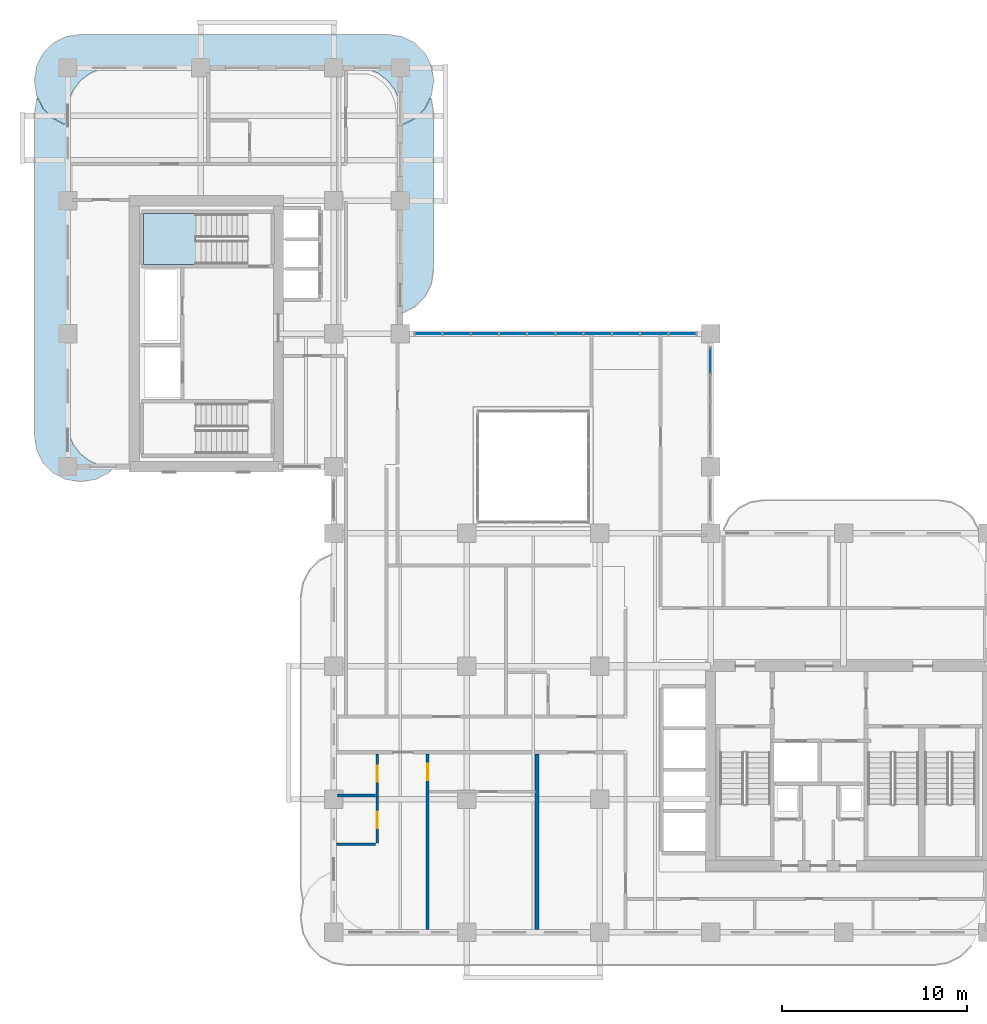
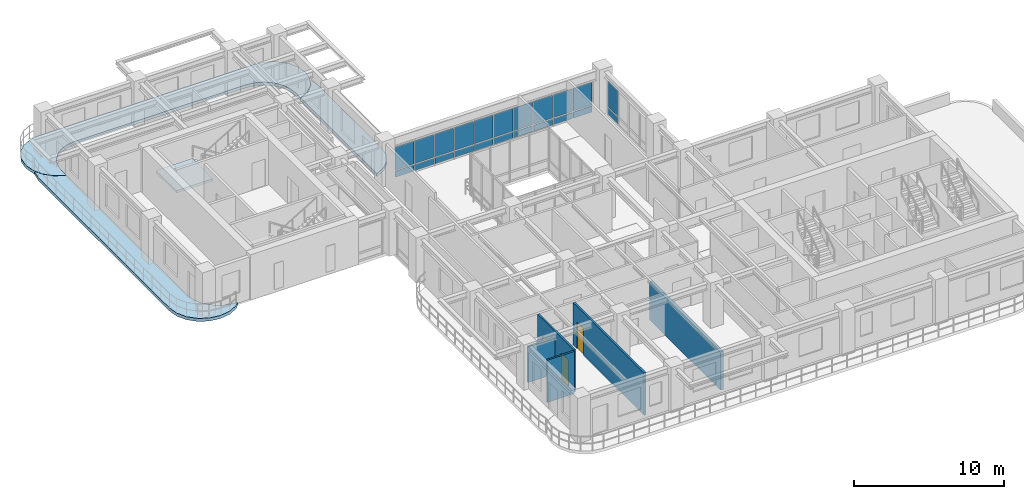
# One storey, part 10 of 20: 22 plates, 5 walls, 4 slabs, 3 doors, 3 openings, 3 elements without a shape of their own.
"""IFC4 building model written with IfcOpenShell, lengths in metres."""

from ifc_helpers import new_model, si_unit, derived_unit, direction, frame, frame_2d, origin, origin_2d, place, context, subcontext, project, spatial, polyline, rectangle, outline, extrude, source, transform, mapped, material, layer, layer_set, type_object, type_shapes, element, fill, aggregate, save


model = new_model("IFC4")

# Units and contexts
model_context = context("Model", 3, precision=1e-05, world=origin(), true_north=direction((0.0, 1.0)))
body_context = subcontext(model_context, "Body", "Model", "MODEL_VIEW")
ifc_project = project(units=[si_unit("LENGTHUNIT", "METRE"), si_unit("AREAUNIT", "SQUARE_METRE"), si_unit("VOLUMEUNIT", "CUBIC_METRE"), si_unit("PLANEANGLEUNIT", "RADIAN"), si_unit("MASSUNIT", "GRAM", prefix="KILO"), si_unit("THERMODYNAMICTEMPERATUREUNIT", "KELVIN"), si_unit("POWERUNIT", "WATT"), derived_unit("THERMALTRANSMITTANCEUNIT", [(si_unit("POWERUNIT", "WATT"), 1), (si_unit("AREAUNIT", "SQUARE_METRE"), -1), (si_unit("THERMODYNAMICTEMPERATUREUNIT", "KELVIN"), -1)])], contexts=[model_context])

# Site, building, storey
site_placement = place(None, origin())
site = spatial("IfcSite", under=ifc_project, at=site_placement, CompositionType="ELEMENT")
building_placement = place(site_placement, origin())
building = spatial("IfcBuilding", under=site, at=building_placement, Name="Zahravan Archway Hotel and Residences", CompositionType="ELEMENT")
storey_placement = place(building_placement, frame((0.0, 0.0, 111.800048828125)))
storey = spatial("IfcBuildingStorey", under=building, at=storey_placement, Name="L27", CompositionType="ELEMENT", Elevation=111.800048828125)

# Slabs
ifc_material_1 = material(Name="Concrete C45/55", Category="concrete")
ifc_layer_1 = layer(ifc_material_1, 0.25, Name="Concrete C45/55", Category="concrete")
ifc_layer_set_1 = layer_set([ifc_layer_1], Name="Concrete C45/55")
slab_type_1 = type_object("IfcSlabType", Name="SLB-BALC-250", PredefinedType="FLOOR", material=ifc_layer_set_1)
slab_1_placement = place(storey_placement, frame((0.0, 0.0, -0.25)))
element("IfcSlab", 1, at=slab_1_placement, inside=storey, type_object=slab_type_1, Name="L27 Wing B North Rounded Balcony Band", PredefinedType="FLOOR", context=body_context, shape_type="SweptSolid", body=[
    extrude(outline(polyline([(-0.107177734375, 43.719970703125), (-0.7900390625, 44.06787109375), (-1.33203125, 44.60986328125), (-1.68017578125, 45.29296875), (-1.800048828125, 46.050048828125), (-1.800048828125, 46.14990234375), (-1.68017578125, 46.906982421875), (-1.33203125, 47.590087890625), (-0.7900390625, 48.132080078125), (-0.107177734375, 48.47998046875), (0.64990234375, 48.60009765625), (17.35009765625, 48.60009765625), (18.107177734375, 48.47998046875), (18.7900390625, 48.132080078125), (19.33203125, 47.590087890625), (19.68017578125, 46.906982421875), (19.800048828125, 46.14990234375), (19.800048828125, 46.050048828125), (19.68017578125, 45.29296875), (19.33203125, 44.60986328125), (18.7900390625, 44.06787109375), (18.107177734375, 43.719970703125), (18.02001953125, 43.7060546875), (18.02001953125, 44.39990234375), (18.019775390625, 44.402587890625), (17.93798828125, 45.023681640625), (17.937744140625, 45.025390625), (17.937255859375, 45.027099609375), (17.936767578125, 45.02880859375), (17.697021484375, 45.607666015625), (17.6962890625, 45.609130859375), (17.6953125, 45.610595703125), (17.6943359375, 45.6123046875), (17.31298828125, 46.109375), (17.311767578125, 46.110595703125), (17.310546875, 46.11181640625), (17.309326171875, 46.113037109375), (16.812255859375, 46.494384765625), (16.810791015625, 46.495361328125), (16.80908203125, 46.49609375), (16.8076171875, 46.4970703125), (16.22900390625, 46.73681640625), (16.227294921875, 46.7373046875), (16.2255859375, 46.73779296875), (16.223876953125, 46.738037109375), (15.6025390625, 46.81982421875), (15.60009765625, 46.820068359375), (2.39990234375, 46.820068359375), (2.3974609375, 46.81982421875), (1.776123046875, 46.738037109375), (1.7744140625, 46.73779296875), (1.772705078125, 46.7373046875), (1.77099609375, 46.73681640625), (1.1923828125, 46.4970703125), (1.19091796875, 46.49609375), (1.189208984375, 46.495361328125), (1.187744140625, 46.494384765625), (0.690673828125, 46.113037109375), (0.689453125, 46.11181640625), (0.688232421875, 46.110595703125), (0.68701171875, 46.109375), (0.3056640625, 45.6123046875), (0.3046875, 45.610595703125), (0.3037109375, 45.609130859375), (0.302978515625, 45.607666015625), (0.063232421875, 45.02880859375), (0.062744140625, 45.027099609375), (0.062255859375, 45.025390625), (0.06201171875, 45.023681640625), (-0.019775390625, 44.402587890625), (-0.02001953125, 44.39990234375), (-0.02001953125, 43.7060546875), (-0.107177734375, 43.719970703125)])), origin(), (0.0, 0.0, 1.0), 0.25),
])
slab_2_placement = place(storey_placement, frame((0.0, 0.0, -0.25)))
element("IfcSlab", 2, at=slab_2_placement, inside=storey, type_object=slab_type_1, Name="L27 Wing B West Rounded Balcony Band", PredefinedType="FLOOR", context=body_context, shape_type="SweptSolid", body=[
    extrude(outline(polyline([(2.190185546875, 24.867919921875), (1.507080078125, 24.52001953125), (0.75, 24.39990234375), (0.64990234375, 24.39990234375), (-0.107177734375, 24.52001953125), (-0.7900390625, 24.867919921875), (-1.33203125, 25.409912109375), (-1.68017578125, 26.093017578125), (-1.800048828125, 26.85009765625), (-1.800048828125, 44.35009765625), (-1.68017578125, 45.107177734375), (-1.64404296875, 45.177978515625), (-1.349853515625, 44.600830078125), (-1.348876953125, 44.59912109375), (-1.34765625, 44.597412109375), (-1.34619140625, 44.595703125), (-0.80419921875, 44.0537109375), (-0.802734375, 44.052490234375), (-0.801025390625, 44.051025390625), (-0.79931640625, 44.050048828125), (-0.1162109375, 43.7021484375), (-0.1142578125, 43.701171875), (-0.1123046875, 43.70068359375), (-0.110107421875, 43.7001953125), (-0.023193359375, 43.686279296875), (-0.021240234375, 43.68603515625), (-0.02001953125, 43.68603515625), (-0.02001953125, 27.60009765625), (-0.019775390625, 27.597412109375), (0.06201171875, 26.976318359375), (0.062255859375, 26.974609375), (0.062744140625, 26.972900390625), (0.063232421875, 26.97119140625), (0.302978515625, 26.392333984375), (0.3037109375, 26.390869140625), (0.3046875, 26.389404296875), (0.3056640625, 26.3876953125), (0.68701171875, 25.890625), (0.688232421875, 25.889404296875), (0.689453125, 25.88818359375), (0.690673828125, 25.886962890625), (1.187744140625, 25.505615234375), (1.189208984375, 25.504638671875), (1.19091796875, 25.50390625), (1.1923828125, 25.5029296875), (1.77099609375, 25.26318359375), (1.772705078125, 25.2626953125), (1.7744140625, 25.26220703125), (1.776123046875, 25.261962890625), (2.3974609375, 25.18017578125), (2.39990234375, 25.179931640625), (2.502197265625, 25.179931640625), (2.190185546875, 24.867919921875)])), origin(), (0.0, 0.0, 1.0), 0.25),
])
slab_3_placement = place(storey_placement, frame((0.0, 0.0, -0.25)))
element("IfcSlab", 3, at=slab_3_placement, inside=storey, type_object=slab_type_1, Name="L27 Wing B East Rounded Balcony Band", PredefinedType="FLOOR", context=body_context, shape_type="SweptSolid", body=[
    extrude(outline(polyline([(19.68017578125, 45.107177734375), (19.800048828125, 44.35009765625), (19.800048828125, 35.85009765625), (19.68017578125, 35.093017578125), (19.33203125, 34.409912109375), (18.7900390625, 33.867919921875), (18.107177734375, 33.52001953125), (18.02001953125, 33.506103515625), (18.02001953125, 43.68603515625), (18.021240234375, 43.68603515625), (18.023193359375, 43.686279296875), (18.110107421875, 43.7001953125), (18.1123046875, 43.70068359375), (18.1142578125, 43.701171875), (18.1162109375, 43.7021484375), (18.79931640625, 44.050048828125), (18.801025390625, 44.051025390625), (18.802734375, 44.052490234375), (18.80419921875, 44.0537109375), (19.34619140625, 44.595703125), (19.34765625, 44.597412109375), (19.348876953125, 44.59912109375), (19.349853515625, 44.600830078125), (19.64404296875, 45.177978515625), (19.68017578125, 45.107177734375)])), origin(), (0.0, 0.0, 1.0), 0.25),
])

# Stair, slab
ifc_material_2 = material(Name="Concrete C50/60", Category="concrete")
stair_type = type_object("IfcStairType", Name="STR-CORE-1300", PredefinedType="HALF_TURN_STAIR", material=ifc_material_2)
stair_placement = place(storey_placement, origin())
stair = element("IfcStair", 4, at=stair_placement, inside=storey, type_object=stair_type, Name="L27 Core B Exit Stair 2", PredefinedType="HALF_TURN_STAIR")
ifc_layer_2 = layer(ifc_material_2, 0.199951171875, Name="Concrete C50/60", Category="concrete")
ifc_layer_set_2 = layer_set([ifc_layer_2], Name="Concrete C50/60")
slab_type_2 = type_object("IfcSlabType", Name="SLB-LND-200", PredefinedType="LANDING", material=ifc_layer_set_2)
slab_4_placement = place(storey_placement, frame((0.0, 0.0, 1.64990234375)))
slab_4 = element("IfcSlab", 5, at=slab_4_placement, type_object=slab_type_2, Name="ST-B2 landing 1", PredefinedType="LANDING", context=body_context, shape_type="SweptSolid", body=[
    extrude(outline(polyline([(6.929931640625, 38.89990234375), (4.10009765625, 38.89990234375), (4.10009765625, 36.159912109375), (6.929931640625, 36.159912109375), (6.929931640625, 38.89990234375)])), origin(), (0.0, 0.0, 1.0), 0.199951171875),
])
aggregate(stair, [slab_4])

# Curtain wall, plates
ifc_material_3 = material(Name="Bronze-Anodized Unitised Aluminium & Low-E Glass", Category="aluminium")
ifc_layer_3 = layer(ifc_material_3, 0.179931640625, Name="Bronze-Anodized Unitised Aluminium & Low-E Glass", Category="aluminium")
ifc_layer_set_3 = layer_set([ifc_layer_3], Name="Bronze-Anodized Unitised Aluminium & Low-E Glass")
curtain_wall_type = type_object("IfcCurtainWallType", Name="CW-ATR-GLAZ", PredefinedType="NOTDEFINED", material=ifc_layer_set_3)
curtain_wall_1_placement = place(storey_placement, origin())
curtain_wall_1 = element("IfcCurtainWall", 6, at=curtain_wall_1_placement, inside=storey, type_object=curtain_wall_type, Name="L27 Curtain Wall CW-L27-HNG-N-1", PredefinedType="NOTDEFINED")
ifc_material_4 = material(Name="Insulated Terracotta Spandrel Panel", Category="masonry")
ifc_layer_4 = layer(ifc_material_4, 0.0400390625, Name="Insulated Terracotta Spandrel Panel", Category="masonry")
ifc_layer_set_4 = layer_set([ifc_layer_4], Name="Insulated Terracotta Spandrel Panel")
plate_type_1 = type_object("IfcPlateType", Name="CWP-SPN-40", PredefinedType="SHEET", material=ifc_layer_set_4)
shared_shape_1 = source(origin(), body_context, "Body", "SweptSolid", [
    extrude(rectangle(XDim=1.447998046875, YDim=0.0400390625, at=origin_2d()), origin(), (0.0, 0.0, 1.0), 0.492431640625),
])
plate_1_placement = place(storey_placement, frame((19.52392578125, 32.39990234375, 0.10009765625), z_axis=(0.0, 0.0, 1.0), x_axis=(1.0, 0.0, 0.0)))
plate_1 = element("IfcPlate", 7, at=plate_1_placement, type_object=plate_type_1, Name="CW-L27-HNG-N-1 Spandrel Panel 0", PredefinedType="SHEET", context=body_context, shape_type="MappedRepresentation", body=[
    mapped(shared_shape_1, transform((0.0, 0.0, 0.0), scale=1.0)),
])
plate_2_placement = place(storey_placement, frame((21.052001953125, 32.39990234375, 0.10009765625), z_axis=(0.0, 0.0, 1.0), x_axis=(1.0, 0.0, 0.0)))
plate_2 = element("IfcPlate", 8, at=plate_2_placement, type_object=plate_type_1, Name="CW-L27-HNG-N-1 Spandrel Panel 1", PredefinedType="SHEET", context=body_context, shape_type="MappedRepresentation", body=[
    mapped(shared_shape_1, transform((0.0, 0.0, 0.0), scale=1.0)),
])
plate_3_placement = place(storey_placement, frame((22.580078125, 32.39990234375, 0.10009765625), z_axis=(0.0, 0.0, 1.0), x_axis=(1.0, 0.0, 0.0)))
plate_3 = element("IfcPlate", 9, at=plate_3_placement, type_object=plate_type_1, Name="CW-L27-HNG-N-1 Spandrel Panel 2", PredefinedType="SHEET", context=body_context, shape_type="MappedRepresentation", body=[
    mapped(shared_shape_1, transform((0.0, 0.0, 0.0), scale=1.0)),
])
plate_4_placement = place(storey_placement, frame((24.10791015625, 32.39990234375, 0.10009765625), z_axis=(0.0, 0.0, 1.0), x_axis=(1.0, 0.0, 0.0)))
plate_4 = element("IfcPlate", 10, at=plate_4_placement, type_object=plate_type_1, Name="CW-L27-HNG-N-1 Spandrel Panel 3", PredefinedType="SHEET", context=body_context, shape_type="MappedRepresentation", body=[
    mapped(shared_shape_1, transform((0.0, 0.0, 0.0), scale=1.0)),
])
plate_5_placement = place(storey_placement, frame((25.635986328125, 32.39990234375, 0.10009765625), z_axis=(0.0, 0.0, 1.0), x_axis=(1.0, 0.0, 0.0)))
plate_5 = element("IfcPlate", 11, at=plate_5_placement, type_object=plate_type_1, Name="CW-L27-HNG-N-1 Spandrel Panel 4", PredefinedType="SHEET", context=body_context, shape_type="MappedRepresentation", body=[
    mapped(shared_shape_1, transform((0.0, 0.0, 0.0), scale=1.0)),
])
plate_6_placement = place(storey_placement, frame((27.1640625, 32.39990234375, 0.10009765625), z_axis=(0.0, 0.0, 1.0), x_axis=(1.0, 0.0, 0.0)))
plate_6 = element("IfcPlate", 12, at=plate_6_placement, type_object=plate_type_1, Name="CW-L27-HNG-N-1 Spandrel Panel 5", PredefinedType="SHEET", context=body_context, shape_type="MappedRepresentation", body=[
    mapped(shared_shape_1, transform((0.0, 0.0, 0.0), scale=1.0)),
])
plate_7_placement = place(storey_placement, frame((28.69189453125, 32.39990234375, 0.10009765625), z_axis=(0.0, 0.0, 1.0), x_axis=(1.0, 0.0, 0.0)))
plate_7 = element("IfcPlate", 13, at=plate_7_placement, type_object=plate_type_1, Name="CW-L27-HNG-N-1 Spandrel Panel 6", PredefinedType="SHEET", context=body_context, shape_type="MappedRepresentation", body=[
    mapped(shared_shape_1, transform((0.0, 0.0, 0.0), scale=1.0)),
])
plate_8_placement = place(storey_placement, frame((30.219970703125, 32.39990234375, 0.10009765625), z_axis=(0.0, 0.0, 1.0), x_axis=(1.0, 0.0, 0.0)))
plate_8 = element("IfcPlate", 14, at=plate_8_placement, type_object=plate_type_1, Name="CW-L27-HNG-N-1 Spandrel Panel 7", PredefinedType="SHEET", context=body_context, shape_type="MappedRepresentation", body=[
    mapped(shared_shape_1, transform((0.0, 0.0, 0.0), scale=1.0)),
])
plate_9_placement = place(storey_placement, frame((31.748046875, 32.39990234375, 0.10009765625), z_axis=(0.0, 0.0, 1.0), x_axis=(1.0, 0.0, 0.0)))
plate_9 = element("IfcPlate", 15, at=plate_9_placement, type_object=plate_type_1, Name="CW-L27-HNG-N-1 Spandrel Panel 8", PredefinedType="SHEET", context=body_context, shape_type="MappedRepresentation", body=[
    mapped(shared_shape_1, transform((0.0, 0.0, 0.0), scale=1.0)),
])
plate_10_placement = place(storey_placement, frame((33.27587890625, 32.39990234375, 0.10009765625), z_axis=(0.0, 0.0, 1.0), x_axis=(1.0, 0.0, 0.0)))
plate_10 = element("IfcPlate", 16, at=plate_10_placement, type_object=plate_type_1, Name="CW-L27-HNG-N-1 Spandrel Panel 9", PredefinedType="SHEET", context=body_context, shape_type="MappedRepresentation", body=[
    mapped(shared_shape_1, transform((0.0, 0.0, 0.0), scale=1.0)),
])
ifc_material_5 = material(Name="Double-Silver Low-E Insulated Vision Glass", Category="glass")
ifc_layer_5 = layer(ifc_material_5, 0.028076171875, Name="Double-Silver Low-E Insulated Vision Glass", Category="glass")
ifc_layer_set_5 = layer_set([ifc_layer_5], Name="Double-Silver Low-E Insulated Vision Glass")
plate_type_2 = type_object("IfcPlateType", Name="CWP-GLZ-28", PredefinedType="CURTAIN_PANEL", material=ifc_layer_set_5)
shared_shape_2 = source(origin(), body_context, "Body", "SweptSolid", [
    extrude(rectangle(XDim=1.447998046875, YDim=0.028076171875, at=origin_2d()), origin(), (0.0, 0.0, 1.0), 1.862548828125),
])
plate_11_placement = place(storey_placement, frame((19.52392578125, 32.39990234375, 0.67236328125), z_axis=(0.0, 0.0, 1.0), x_axis=(1.0, 0.0, 0.0)))
plate_11 = element("IfcPlate", 17, at=plate_11_placement, type_object=plate_type_2, Name="CW-L27-HNG-N-1 Low-E Vision Panel 0", PredefinedType="CURTAIN_PANEL", context=body_context, shape_type="MappedRepresentation", body=[
    mapped(shared_shape_2, transform((0.0, 0.0, 0.0), scale=1.0)),
])
plate_12_placement = place(storey_placement, frame((21.052001953125, 32.39990234375, 0.67236328125), z_axis=(0.0, 0.0, 1.0), x_axis=(1.0, 0.0, 0.0)))
plate_12 = element("IfcPlate", 18, at=plate_12_placement, type_object=plate_type_2, Name="CW-L27-HNG-N-1 Low-E Vision Panel 1", PredefinedType="CURTAIN_PANEL", context=body_context, shape_type="MappedRepresentation", body=[
    mapped(shared_shape_2, transform((0.0, 0.0, 0.0), scale=1.0)),
])
plate_13_placement = place(storey_placement, frame((22.580078125, 32.39990234375, 0.67236328125), z_axis=(0.0, 0.0, 1.0), x_axis=(1.0, 0.0, 0.0)))
plate_13 = element("IfcPlate", 19, at=plate_13_placement, type_object=plate_type_2, Name="CW-L27-HNG-N-1 Low-E Vision Panel 2", PredefinedType="CURTAIN_PANEL", context=body_context, shape_type="MappedRepresentation", body=[
    mapped(shared_shape_2, transform((0.0, 0.0, 0.0), scale=1.0)),
])
plate_14_placement = place(storey_placement, frame((24.10791015625, 32.39990234375, 0.67236328125), z_axis=(0.0, 0.0, 1.0), x_axis=(1.0, 0.0, 0.0)))
plate_14 = element("IfcPlate", 20, at=plate_14_placement, type_object=plate_type_2, Name="CW-L27-HNG-N-1 Low-E Vision Panel 3", PredefinedType="CURTAIN_PANEL", context=body_context, shape_type="MappedRepresentation", body=[
    mapped(shared_shape_2, transform((0.0, 0.0, 0.0), scale=1.0)),
])
plate_15_placement = place(storey_placement, frame((25.635986328125, 32.39990234375, 0.67236328125), z_axis=(0.0, 0.0, 1.0), x_axis=(1.0, 0.0, 0.0)))
plate_15 = element("IfcPlate", 21, at=plate_15_placement, type_object=plate_type_2, Name="CW-L27-HNG-N-1 Low-E Vision Panel 4", PredefinedType="CURTAIN_PANEL", context=body_context, shape_type="MappedRepresentation", body=[
    mapped(shared_shape_2, transform((0.0, 0.0, 0.0), scale=1.0)),
])
plate_16_placement = place(storey_placement, frame((27.1640625, 32.39990234375, 0.67236328125), z_axis=(0.0, 0.0, 1.0), x_axis=(1.0, 0.0, 0.0)))
plate_16 = element("IfcPlate", 22, at=plate_16_placement, type_object=plate_type_2, Name="CW-L27-HNG-N-1 Low-E Vision Panel 5", PredefinedType="CURTAIN_PANEL", context=body_context, shape_type="MappedRepresentation", body=[
    mapped(shared_shape_2, transform((0.0, 0.0, 0.0), scale=1.0)),
])
plate_17_placement = place(storey_placement, frame((28.69189453125, 32.39990234375, 0.67236328125), z_axis=(0.0, 0.0, 1.0), x_axis=(1.0, 0.0, 0.0)))
plate_17 = element("IfcPlate", 23, at=plate_17_placement, type_object=plate_type_2, Name="CW-L27-HNG-N-1 Low-E Vision Panel 6", PredefinedType="CURTAIN_PANEL", context=body_context, shape_type="MappedRepresentation", body=[
    mapped(shared_shape_2, transform((0.0, 0.0, 0.0), scale=1.0)),
])
plate_18_placement = place(storey_placement, frame((30.219970703125, 32.39990234375, 0.67236328125), z_axis=(0.0, 0.0, 1.0), x_axis=(1.0, 0.0, 0.0)))
plate_18 = element("IfcPlate", 24, at=plate_18_placement, type_object=plate_type_2, Name="CW-L27-HNG-N-1 Low-E Vision Panel 7", PredefinedType="CURTAIN_PANEL", context=body_context, shape_type="MappedRepresentation", body=[
    mapped(shared_shape_2, transform((0.0, 0.0, 0.0), scale=1.0)),
])
plate_19_placement = place(storey_placement, frame((31.748046875, 32.39990234375, 0.67236328125), z_axis=(0.0, 0.0, 1.0), x_axis=(1.0, 0.0, 0.0)))
plate_19 = element("IfcPlate", 25, at=plate_19_placement, type_object=plate_type_2, Name="CW-L27-HNG-N-1 Low-E Vision Panel 8", PredefinedType="CURTAIN_PANEL", context=body_context, shape_type="MappedRepresentation", body=[
    mapped(shared_shape_2, transform((0.0, 0.0, 0.0), scale=1.0)),
])
plate_20_placement = place(storey_placement, frame((33.27587890625, 32.39990234375, 0.67236328125), z_axis=(0.0, 0.0, 1.0), x_axis=(1.0, 0.0, 0.0)))
plate_20 = element("IfcPlate", 26, at=plate_20_placement, type_object=plate_type_2, Name="CW-L27-HNG-N-1 Low-E Vision Panel 9", PredefinedType="CURTAIN_PANEL", context=body_context, shape_type="MappedRepresentation", body=[
    mapped(shared_shape_2, transform((0.0, 0.0, 0.0), scale=1.0)),
])
aggregate(curtain_wall_1, [plate_1, plate_11, plate_2, plate_12, plate_3, plate_13, plate_4, plate_14, plate_5, plate_15, plate_6, plate_16, plate_7, plate_17, plate_8, plate_18, plate_9, plate_19, plate_10, plate_20])

curtain_wall_2_placement = place(storey_placement, origin())
curtain_wall_2 = element("IfcCurtainWall", 27, at=curtain_wall_2_placement, inside=storey, type_object=curtain_wall_type, Name="L27 Curtain Wall CW-L27-HNG-E-2", PredefinedType="NOTDEFINED")
shared_shape_3 = source(origin(), body_context, "Body", "SweptSolid", [
    extrude(rectangle(XDim=1.340087890625, YDim=0.0400390625, at=origin_2d()), origin(), (0.0, 0.0, 1.0), 0.564453125),
])
plate_21_placement = place(storey_placement, frame((34.800048828125, 30.929931640625, 0.099853515625), z_axis=(0.0, 0.0, 1.0), x_axis=(0.0, 1.0, 0.0)))
plate_21 = element("IfcPlate", 28, at=plate_21_placement, type_object=plate_type_1, Name="CW-L27-HNG-E-2 Spandrel Panel 3", PredefinedType="SHEET", context=body_context, shape_type="MappedRepresentation", body=[
    mapped(shared_shape_3, transform((0.0, 0.0, 0.0), scale=1.0)),
])
shared_shape_4 = source(origin(), body_context, "Body", "SweptSolid", [
    extrude(rectangle(XDim=1.340087890625, YDim=0.028076171875, at=origin_2d()), origin(), (0.0, 0.0, 1.0), 2.090576171875),
])
plate_22_placement = place(storey_placement, frame((34.800048828125, 30.929931640625, 0.744140625), z_axis=(0.0, 0.0, 1.0), x_axis=(0.0, 1.0, 0.0)))
plate_22 = element("IfcPlate", 29, at=plate_22_placement, type_object=plate_type_2, Name="CW-L27-HNG-E-2 Low-E Vision Panel 3", PredefinedType="CURTAIN_PANEL", context=body_context, shape_type="MappedRepresentation", body=[
    mapped(shared_shape_4, transform((0.0, 0.0, 0.0), scale=1.0)),
])
aggregate(curtain_wall_2, [plate_21, plate_22])

# Wall
ifc_material_6 = material(Name="Fire-Rated Gypsum & Concrete Block", Category="concrete")
ifc_layer_6 = layer(ifc_material_6, 0.219970703125, Name="Fire-Rated Gypsum & Concrete Block", Category="concrete")
ifc_layer_set_6 = layer_set([ifc_layer_6], Name="Fire-Rated Gypsum & Concrete Block")
wall_type_1 = type_object("IfcWallType", Name="PW-COMP-220", PredefinedType="PARTITIONING", material=ifc_layer_set_6)
wall_1_placement = place(storey_placement, frame((25.39990234375, 0.14794921875, 0.0), z_axis=(0.0, 0.0, 1.0), x_axis=(0.0, 1.0, 0.0)))
element("IfcWall", 30, at=wall_1_placement, inside=storey, type_object=wall_type_1, Name="L27 Partition WAS-3S", PredefinedType="PARTITIONING", context=body_context, shape_type="SweptSolid", body=[
    extrude(rectangle(XDim=9.511962890625, YDim=0.219970703125, at=frame_2d((4.755859375, 0.0))), origin(), (0.0, 0.0, 1.0), 3.10498046875),
])

# Wall, opening, door
ifc_material_7 = material(Name="Acoustic Stud Partition")
ifc_layer_7 = layer(ifc_material_7, 0.14990234375, Name="Acoustic Stud Partition")
ifc_layer_set_7 = layer_set([ifc_layer_7], Name="Acoustic Stud Partition")
wall_type_2 = type_object("IfcWallType", Name="PW-UNIT-150", PredefinedType="PARTITIONING", material=ifc_layer_set_7)
wall_2_placement = place(storey_placement, frame((19.47998046875, 0.14794921875, 0.0), z_axis=(0.0, 0.0, 1.0), x_axis=(0.0, 1.0, 0.0)))
wall_2 = element("IfcWall", 31, at=wall_2_placement, inside=storey, type_object=wall_type_2, Name="L27 Partition FL-HS1-SP", PredefinedType="PARTITIONING", context=body_context, shape_type="SweptSolid", body=[
    extrude(rectangle(XDim=9.511962890625, YDim=0.14990234375, at=frame_2d((4.755859375, 0.0))), origin(), (0.0, 0.0, 1.0), 3.449951171875),
])
opening_1_placement = place(wall_2_placement, frame((8.076904296875, 0.0, 0.0)))
opening_1 = element("IfcOpeningElement", 32, at=opening_1_placement, cuts=wall_2, Name="Opening D-I2", PredefinedType="OPENING", context=body_context, shape_type="SweptSolid", body=[
    extrude(rectangle(XDim=0.89990234375, YDim=2.14990234375, at=frame_2d((0.449951171875, 1.074951171875))), frame((0.0, 0.0849609375, 0.0), z_axis=(0.0, -1.0, 0.0), x_axis=(1.0, 0.0, 0.0)), (0.0, 0.0, 1.0), 0.169921875),
])
ifc_material_8 = material(Name="Hardwood Veneer Timber", Category="wood")
door_type_1 = type_object("IfcDoorType", Name="ID-INT-900", OperationType="NOTDEFINED", PredefinedType="DOOR", material=ifc_material_8)
shared_shape_5 = source(origin(), body_context, "Body", "SweptSolid", [
    extrude(rectangle(XDim=0.89990234375, YDim=2.14990234375, at=frame_2d((0.449951171875, 1.074951171875))), frame((0.0, 0.02490234375, 0.0), z_axis=(0.0, -1.0, 0.0), x_axis=(1.0, 0.0, 0.0)), (0.0, 0.0, 1.0), 0.050048828125),
])
type_shapes(door_type_1, [shared_shape_5])
door_1_placement = place(opening_1_placement, origin())
door_1 = element("IfcDoor", 33, at=door_1_placement, inside=storey, type_object=door_type_1, Name="L27 Flat HS1 Bedroom Hall Door", OperationType="SINGLE_SWING_RIGHT", OverallHeight=2.14990234375, OverallWidth=0.89990234375, PredefinedType="DOOR", context=body_context, shape_type="MappedRepresentation", body=[
    mapped(shared_shape_5, transform((0.0, 0.0, 0.0), scale=1.0)),
])
fill(opening_1, door_1)

# Wall, openings, doors
ifc_material_9 = material(Name="Moisture-Resistant Blockwork", Category="masonry")
ifc_layer_8 = layer(ifc_material_9, 0.139892578125, Name="Moisture-Resistant Blockwork", Category="masonry")
ifc_layer_set_8 = layer_set([ifc_layer_8], Name="Moisture-Resistant Blockwork")
wall_type_3 = type_object("IfcWallType", Name="PW-WET-140", PredefinedType="PARTITIONING", material=ifc_layer_set_8)
wall_3_placement = place(storey_placement, frame((16.75, 4.840087890625, 0.0), z_axis=(0.0, 0.0, 1.0), x_axis=(0.0, 1.0, 0.0)))
wall_3 = element("IfcWall", 34, at=wall_3_placement, inside=storey, type_object=wall_type_3, Name="L27 Partition FL-HS1-BV", PredefinedType="PARTITIONING", context=body_context, shape_type="SweptSolid", body=[
    extrude(rectangle(XDim=4.81982421875, YDim=0.139892578125, at=frame_2d((2.409912109375, 0.0))), origin(), (0.0, 0.0, 1.0), 3.449951171875),
])
opening_2_placement = place(wall_3_placement, frame((0.784912109375, 0.0, 0.0)))
opening_2 = element("IfcOpeningElement", 35, at=opening_2_placement, cuts=wall_3, Name="Opening D-I2", PredefinedType="OPENING", context=body_context, shape_type="SweptSolid", body=[
    extrude(rectangle(XDim=0.89990234375, YDim=2.14990234375, at=frame_2d((0.449951171875, 1.074951171875))), frame((0.0, 0.080078125, 0.0), z_axis=(0.0, -1.0, 0.0), x_axis=(1.0, 0.0, 0.0)), (0.0, 0.0, 1.0), 0.159912109375),
])
opening_3_placement = place(wall_3_placement, frame((3.31005859375, 0.0, 0.0)))
opening_3 = element("IfcOpeningElement", 36, at=opening_3_placement, cuts=wall_3, Name="Opening D-B1", PredefinedType="OPENING", context=body_context, shape_type="SweptSolid", body=[
    extrude(rectangle(XDim=0.85009765625, YDim=2.10009765625, at=frame_2d((0.425048828125, 1.050048828125))), frame((0.0, 0.080078125, 0.0), z_axis=(0.0, -1.0, 0.0), x_axis=(1.0, 0.0, 0.0)), (0.0, 0.0, 1.0), 0.159912109375),
])
door_type_2 = type_object("IfcDoorType", Name="ID-BATH-850", OperationType="NOTDEFINED", PredefinedType="DOOR", material=ifc_material_8)
shared_shape_6 = source(origin(), body_context, "Body", "SweptSolid", [
    extrude(rectangle(XDim=0.85009765625, YDim=2.10009765625, at=frame_2d((0.425048828125, 1.050048828125))), frame((0.0, 0.02490234375, 0.0), z_axis=(0.0, -1.0, 0.0), x_axis=(1.0, 0.0, 0.0)), (0.0, 0.0, 1.0), 0.050048828125),
])
type_shapes(door_type_2, [shared_shape_6])
door_2_placement = place(opening_3_placement, origin())
door_2 = element("IfcDoor", 37, at=door_2_placement, inside=storey, type_object=door_type_2, Name="L27 Flat HS1 Bathroom Door", OperationType="SINGLE_SWING_RIGHT", OverallHeight=2.10009765625, OverallWidth=0.85009765625, PredefinedType="DOOR", context=body_context, shape_type="MappedRepresentation", body=[
    mapped(shared_shape_6, transform((0.0, 0.0, 0.0), scale=1.0)),
])
fill(opening_3, door_2)
door_3_placement = place(opening_2_placement, origin())
door_3 = element("IfcDoor", 38, at=door_3_placement, inside=storey, type_object=door_type_1, Name="L27 Flat HS1 Kitchen Door", OperationType="SINGLE_SWING_LEFT", OverallHeight=2.14990234375, OverallWidth=0.89990234375, PredefinedType="DOOR", context=body_context, shape_type="MappedRepresentation", body=[
    mapped(shared_shape_5, transform((0.0, 0.0, 0.0), scale=1.0)),
])
fill(opening_2, door_3)

# Walls
wall_4_placement = place(storey_placement, frame((14.590087890625, 7.39990234375, 0.0), z_axis=(0.0, 0.0, 1.0), x_axis=(1.0, 0.0, 0.0)))
element("IfcWall", 39, at=wall_4_placement, inside=storey, type_object=wall_type_3, Name="L27 Partition FL-HS1-BM", PredefinedType="PARTITIONING", context=body_context, shape_type="SweptSolid", body=[
    extrude(rectangle(XDim=2.06982421875, YDim=0.139892578125, at=frame_2d((1.034912109375, 0.0))), origin(), (0.0, 0.0, 1.0), 2.93505859375),
])
wall_5_placement = place(storey_placement, frame((14.548095703125, 4.75, 0.0), z_axis=(0.0, 0.0, 1.0), x_axis=(1.0, 0.0, 0.0)))
element("IfcWall", 40, at=wall_5_placement, inside=storey, type_object=wall_type_3, Name="L27 Partition FL-HS1-KH", PredefinedType="PARTITIONING", context=body_context, shape_type="SweptSolid", body=[
    extrude(rectangle(XDim=2.11181640625, YDim=0.139892578125, at=frame_2d((1.055908203125, 0.0))), origin(), (0.0, 0.0, 1.0), 3.449951171875),
])

save(model, "model.ifc")
